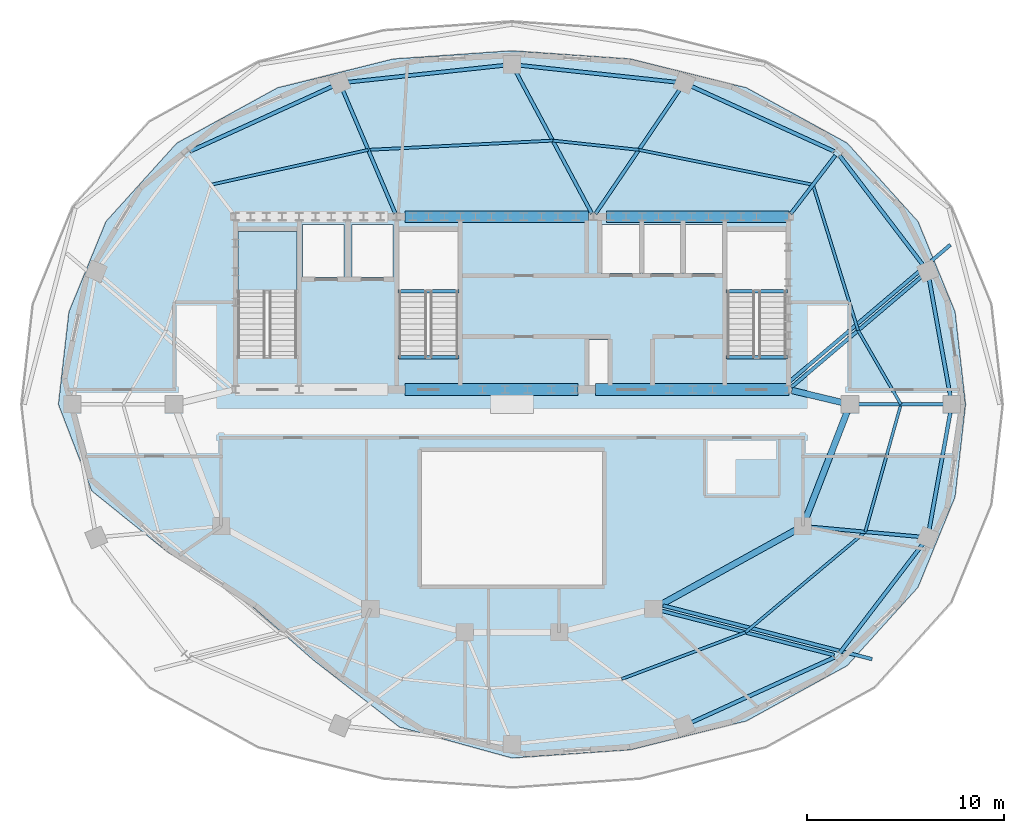
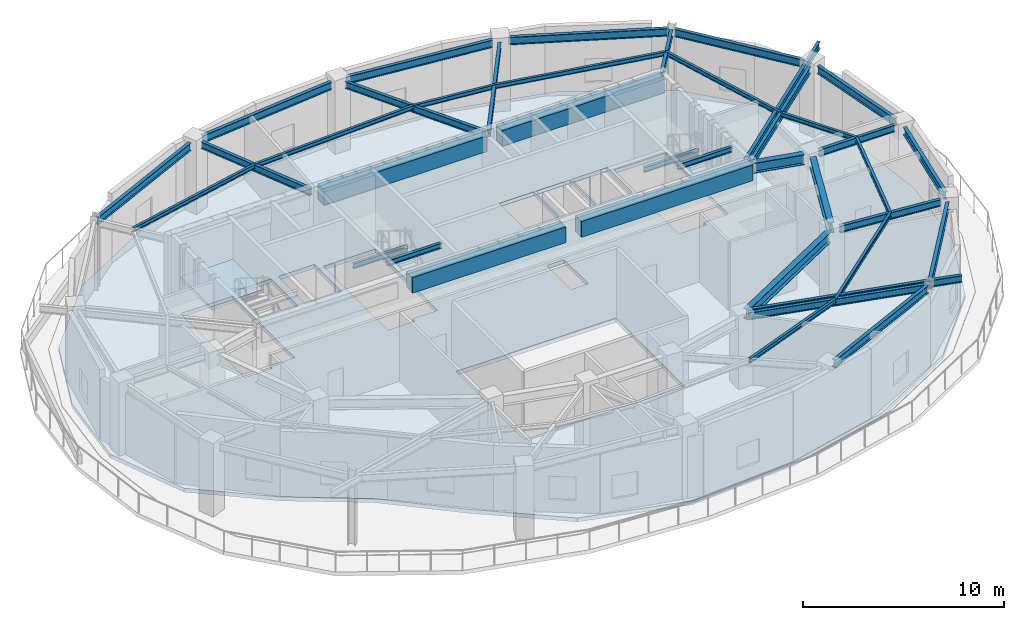
# One storey, part 2 of 10: 39 beams, 2 slabs, 1 element without a shape of its own.
"""IFC4 building model written with IfcOpenShell, lengths in metres."""

from ifc_helpers import new_model, si_unit, direction, frame, origin, origin_2d, place, context, subcontext, project, spatial, polyline, rectangle, i_section, outline, extrude, material, layer, layer_set, material_profile, profile_set, type_object, element, aggregate, save


model = new_model("IFC4")

# Units and contexts
model_context = context("Model", 3, precision=1e-05, world=origin(), true_north=direction((0.0, 1.0)))
body_context = subcontext(model_context, "Body", "Model", "MODEL_VIEW")
ifc_project = project(units=[si_unit("LENGTHUNIT", "METRE"), si_unit("AREAUNIT", "SQUARE_METRE"), si_unit("VOLUMEUNIT", "CUBIC_METRE"), si_unit("PLANEANGLEUNIT", "RADIAN"), si_unit("MASSUNIT", "GRAM", prefix="KILO")], contexts=[model_context])

# Site, building, storey
site_placement = place(None, origin())
site = spatial("IfcSite", under=ifc_project, at=site_placement, CompositionType="ELEMENT")
building_placement = place(site_placement, origin())
building = spatial("IfcBuilding", under=site, at=building_placement, Name="Haldorwick Loom Tower", CompositionType="ELEMENT")
storey_placement = place(building_placement, frame((0.0, 0.0, 273.0)))
storey = spatial("IfcBuildingStorey", under=building, at=storey_placement, Name="L74", CompositionType="ELEMENT", Elevation=273.0)

# Beams
ifc_material_1 = material(Name="Steel CSA G40.21 350W", Category="steel")
ifc_material_profile_1 = material_profile(ifc_material_1, i_section(OverallWidth=0.179931640625, OverallDepth=0.4130859375, WebThickness=0.009765625, FlangeThickness=0.01611328125, at=origin_2d()), Name="W410X74", Category="steel")
ifc_profile_set_1 = profile_set([ifc_material_profile_1], Name="Steel CSA G40.21 350W")
beam_type_1 = type_object("IfcBeamType", Name="STR-BM-BAL410", PredefinedType="BEAM", material=ifc_profile_set_1)
beam_1_placement = place(storey_placement, frame((43.681396484375, 15.765625, 4.053466796875), z_axis=(0.968611485287, -0.24857954576, 0.0), x_axis=(0.24857954576, 0.968611485287, 0.0)))
element("IfcBeam", 1, at=beam_1_placement, inside=storey, type_object=beam_type_1, Name="L74 Continuous Back-Spanned Balcony Beam 1", PredefinedType="BEAM", context=body_context, shape_type="SweptSolid", body=[
    extrude(i_section(OverallWidth=0.179931640625, OverallDepth=0.4130859375, WebThickness=0.009765625, FlangeThickness=0.01611328125, at=origin_2d()), origin(), (0.0, 0.0, 1.0), 10.98828125),
])
beam_2_placement = place(storey_placement, frame((50.019287109375, 27.074462890625, 4.053466796875), z_axis=(0.761960357793, 0.6476236663, 0.0), x_axis=(-0.6476236663, 0.761960357793, 0.0)))
element("IfcBeam", 2, at=beam_2_placement, inside=storey, type_object=beam_type_1, Name="L74 Continuous Back-Spanned Balcony Beam 4", PredefinedType="BEAM", context=body_context, shape_type="SweptSolid", body=[
    extrude(i_section(OverallWidth=0.179931640625, OverallDepth=0.4130859375, WebThickness=0.009765625, FlangeThickness=0.01611328125, at=origin_2d()), origin(), (0.0, 0.0, 1.0), 10.879150390625),
])
ifc_material_2 = material(Name="Concrete C50 (50 MPa)", Category="concrete")
ifc_material_profile_2 = material_profile(ifc_material_2, rectangle(XDim=0.60009765625, YDim=0.949951171875, at=origin_2d()), Name="RC600X950", Category="concrete")
ifc_profile_set_2 = profile_set([ifc_material_profile_2], Name="Concrete C50 (50 MPa)")
beam_type_2 = type_object("IfcBeamType", Name="STR-BM-CB950", PredefinedType="LINTEL", material=ifc_profile_set_2)
beam_3_placement = place(storey_placement, frame((30.550048828125, 35.550048828125, 3.784912109375), z_axis=(1.0, 0.0, 0.0), x_axis=(0.0, 1.0, 0.0)))
element("IfcBeam", 3, at=beam_3_placement, inside=storey, type_object=beam_type_2, Name="L74 Core Coupling Beam CB-N2", PredefinedType="LINTEL", context=body_context, shape_type="SweptSolid", body=[
    extrude(rectangle(XDim=0.60009765625, YDim=0.949951171875, at=origin_2d()), origin(), (0.0, 0.0, 1.0), 9.349853515625),
])
beam_4_placement = place(storey_placement, frame((40.800048828125, 35.550048828125, 3.784912109375), z_axis=(1.0, 0.0, 0.0), x_axis=(0.0, 1.0, 0.0)))
element("IfcBeam", 4, at=beam_4_placement, inside=storey, type_object=beam_type_2, Name="L74 Core Coupling Beam CB-N3", PredefinedType="LINTEL", context=body_context, shape_type="SweptSolid", body=[
    extrude(rectangle(XDim=0.60009765625, YDim=0.949951171875, at=origin_2d()), origin(), (0.0, 0.0, 1.0), 9.300048828125),
])
beam_5_placement = place(storey_placement, frame((30.550048828125, 26.75, 3.784912109375), z_axis=(1.0, 0.0, 0.0), x_axis=(0.0, 1.0, 0.0)))
element("IfcBeam", 5, at=beam_5_placement, inside=storey, type_object=beam_type_2, Name="L74 Core Coupling Beam CB-S2", PredefinedType="LINTEL", context=body_context, shape_type="SweptSolid", body=[
    extrude(rectangle(XDim=0.60009765625, YDim=0.949951171875, at=origin_2d()), origin(), (0.0, 0.0, 1.0), 8.800048828125),
])
beam_6_placement = place(storey_placement, frame((40.25, 26.75, 3.784912109375), z_axis=(1.0, 0.0, 0.0), x_axis=(0.0, 1.0, 0.0)))
element("IfcBeam", 6, at=beam_6_placement, inside=storey, type_object=beam_type_2, Name="L74 Core Coupling Beam CB-S3", PredefinedType="LINTEL", context=body_context, shape_type="SweptSolid", body=[
    extrude(rectangle(XDim=0.60009765625, YDim=0.949951171875, at=origin_2d()), origin(), (0.0, 0.0, 1.0), 9.85009765625),
])
ifc_material_profile_3 = material_profile(ifc_material_1, i_section(OverallWidth=0.14599609375, OverallDepth=0.258056640625, WebThickness=0.006103515625, FlangeThickness=0.009033203125, at=origin_2d()), Name="W250X33", Category="steel")
ifc_profile_set_3 = profile_set([ifc_material_profile_3], Name="Steel CSA G40.21 350W")
beam_type_3 = type_object("IfcBeamType", Name="STR-BM-J250", PredefinedType="JOIST", material=ifc_profile_set_3)
beam_7_placement = place(storey_placement, frame((55.790283203125, 26.0, 4.131103515625), z_axis=(-0.50089233553, 0.865509600297, 0.0), x_axis=(-0.865509600297, -0.50089233553, 0.0)))
element("IfcBeam", 7, at=beam_7_placement, inside=storey, type_object=beam_type_3, Name="L74 Mid-Bay Secondary Joist 1", PredefinedType="JOIST", context=body_context, shape_type="SweptSolid", body=[
    extrude(i_section(OverallWidth=0.14599609375, OverallDepth=0.258056640625, WebThickness=0.006103515625, FlangeThickness=0.009033203125, at=origin_2d()), origin(), (0.0, 0.0, 1.0), 4.34619140625),
])
beam_8_placement = place(storey_placement, frame((53.61328125, 29.76171875, 4.131103515625), z_axis=(-0.296087580312, 0.955160795251, 0.0), x_axis=(-0.955160795251, -0.296087580312, 0.0)))
element("IfcBeam", 8, at=beam_8_placement, inside=storey, type_object=beam_type_3, Name="L74 Mid-Bay Secondary Joist 2", PredefinedType="JOIST", context=body_context, shape_type="SweptSolid", body=[
    extrude(i_section(OverallWidth=0.14599609375, OverallDepth=0.258056640625, WebThickness=0.006103515625, FlangeThickness=0.009033203125, at=origin_2d()), origin(), (0.0, 0.0, 1.0), 7.762451171875),
])
beam_9_placement = place(storey_placement, frame((51.31494140625, 37.176025390625, 4.131103515625), z_axis=(-0.980500562343, 0.196516277302, 0.0), x_axis=(-0.196516277302, -0.980500562343, 0.0)))
element("IfcBeam", 9, at=beam_9_placement, inside=storey, type_object=beam_type_3, Name="L74 Mid-Bay Secondary Joist 3", PredefinedType="JOIST", context=body_context, shape_type="SweptSolid", body=[
    extrude(i_section(OverallWidth=0.14599609375, OverallDepth=0.258056640625, WebThickness=0.006103515625, FlangeThickness=0.009033203125, at=origin_2d()), origin(), (0.0, 0.0, 1.0), 9.034423828125),
])
beam_10_placement = place(storey_placement, frame((42.456787109375, 38.951416015625, 4.131103515625), z_axis=(-0.994268003688, 0.106916494714, 0.0), x_axis=(-0.106916494714, -0.994268003688, 0.0)))
element("IfcBeam", 10, at=beam_10_placement, inside=storey, type_object=beam_type_3, Name="L74 Mid-Bay Secondary Joist 4", PredefinedType="JOIST", context=body_context, shape_type="SweptSolid", body=[
    extrude(i_section(OverallWidth=0.14599609375, OverallDepth=0.258056640625, WebThickness=0.006103515625, FlangeThickness=0.009033203125, at=origin_2d()), origin(), (0.0, 0.0, 1.0), 4.406982421875),
])
beam_11_placement = place(storey_placement, frame((38.074951171875, 39.422607421875, 4.131103515625), z_axis=(-0.998743777835, -0.050108544536, 0.0), x_axis=(0.050108544536, -0.998743777835, 0.0)))
element("IfcBeam", 11, at=beam_11_placement, inside=storey, type_object=beam_type_3, Name="L74 Mid-Bay Secondary Joist 5", PredefinedType="JOIST", context=body_context, shape_type="SweptSolid", body=[
    extrude(i_section(OverallWidth=0.14599609375, OverallDepth=0.258056640625, WebThickness=0.006103515625, FlangeThickness=0.009033203125, at=origin_2d()), origin(), (0.0, 0.0, 1.0), 9.4033203125),
])
beam_12_placement = place(storey_placement, frame((28.683349609375, 38.951416015625, 4.131103515625), z_axis=(-0.976238917254, -0.216696969148, 0.0), x_axis=(0.216696969148, -0.976238917254, 0.0)))
element("IfcBeam", 12, at=beam_12_placement, inside=storey, type_object=beam_type_3, Name="L74 Mid-Bay Secondary Joist 6", PredefinedType="JOIST", context=body_context, shape_type="SweptSolid", body=[
    extrude(i_section(OverallWidth=0.14599609375, OverallDepth=0.258056640625, WebThickness=0.006103515625, FlangeThickness=0.009033203125, at=origin_2d()), origin(), (0.0, 0.0, 1.0), 8.19287109375),
])
beam_13_placement = place(storey_placement, frame((41.581787109375, 12.023681640625, 4.131103515625), z_axis=(0.93567019597, 0.352875735031, 0.0), x_axis=(-0.352875735031, 0.93567019597, 0.0)))
element("IfcBeam", 13, at=beam_13_placement, inside=storey, type_object=beam_type_3, Name="L74 Mid-Bay Secondary Joist 14", PredefinedType="JOIST", context=body_context, shape_type="SweptSolid", body=[
    extrude(i_section(OverallWidth=0.14599609375, OverallDepth=0.258056640625, WebThickness=0.006103515625, FlangeThickness=0.009033203125, at=origin_2d()), origin(), (0.0, 0.0, 1.0), 6.731201171875),
])
beam_14_placement = place(storey_placement, frame((47.8798828125, 14.39892578125, 4.131103515625), z_axis=(0.766236362394, 0.642558819833, 0.0), x_axis=(-0.642558819833, 0.766236362394, 0.0)))
element("IfcBeam", 14, at=beam_14_placement, inside=storey, type_object=beam_type_3, Name="L74 Mid-Bay Secondary Joist 15", PredefinedType="JOIST", context=body_context, shape_type="SweptSolid", body=[
    extrude(i_section(OverallWidth=0.14599609375, OverallDepth=0.258056640625, WebThickness=0.006103515625, FlangeThickness=0.009033203125, at=origin_2d()), origin(), (0.0, 0.0, 1.0), 7.959228515625),
])
beam_15_placement = place(storey_placement, frame((53.978515625, 19.51318359375, 4.131103515625), z_axis=(0.269004652199, 0.963138877367, 0.0), x_axis=(-0.963138877367, 0.269004652199, 0.0)))
element("IfcBeam", 15, at=beam_15_placement, inside=storey, type_object=beam_type_3, Name="L74 Mid-Bay Secondary Joist 16", PredefinedType="JOIST", context=body_context, shape_type="SweptSolid", body=[
    extrude(i_section(OverallWidth=0.14599609375, OverallDepth=0.258056640625, WebThickness=0.006103515625, FlangeThickness=0.009033203125, at=origin_2d()), origin(), (0.0, 0.0, 1.0), 6.735107421875),
])
ifc_material_profile_4 = material_profile(ifc_material_1, i_section(OverallWidth=0.179931640625, OverallDepth=0.4130859375, WebThickness=0.009765625, FlangeThickness=0.01611328125, at=origin_2d()), Name="W410X74", Category="steel")
ifc_profile_set_4 = profile_set([ifc_material_profile_4], Name="Steel CSA G40.21 350W")
beam_type_4 = type_object("IfcBeamType", Name="STR-BM-J410", PredefinedType="JOIST", material=ifc_profile_set_4)
beam_16_placement = place(storey_placement, frame((53.625, 26.0, 4.053466796875), z_axis=(1.0, 0.0, 0.0), x_axis=(0.0, 1.0, 0.0)))
element("IfcBeam", 16, at=beam_16_placement, inside=storey, type_object=beam_type_4, Name="L74 Radial Floor Girder 1", PredefinedType="JOIST", context=body_context, shape_type="SweptSolid", body=[
    extrude(i_section(OverallWidth=0.179931640625, OverallDepth=0.4130859375, WebThickness=0.009765625, FlangeThickness=0.01611328125, at=origin_2d()), origin(), (0.0, 0.0, 1.0), 4.330810546875),
])
beam_17_placement = place(storey_placement, frame((50.20068359375, 26.861083984375, 4.053466796875), z_axis=(0.761954542494, 0.647630508216, 0.0), x_axis=(-0.647630508216, 0.761954542494, 0.0)))
element("IfcBeam", 17, at=beam_17_placement, inside=storey, type_object=beam_type_4, Name="L74 Radial Floor Girder 2", PredefinedType="JOIST", context=body_context, shape_type="SweptSolid", body=[
    extrude(i_section(OverallWidth=0.179931640625, OverallDepth=0.4130859375, WebThickness=0.009765625, FlangeThickness=0.01611328125, at=origin_2d()), origin(), (0.0, 0.0, 1.0), 8.704345703125),
])
beam_18_placement = place(storey_placement, frame((50.17431640625, 35.686279296875, 4.053466796875), z_axis=(0.607923320425, 0.793995740847, 0.0), x_axis=(-0.793995740847, 0.607923320425, 0.0)))
element("IfcBeam", 18, at=beam_18_placement, inside=storey, type_object=beam_type_4, Name="L74 Radial Floor Girder 3", PredefinedType="JOIST", context=body_context, shape_type="SweptSolid", body=[
    extrude(i_section(OverallWidth=0.179931640625, OverallDepth=0.4130859375, WebThickness=0.009765625, FlangeThickness=0.01611328125, at=origin_2d()), origin(), (0.0, 0.0, 1.0), 3.75244140625),
])
beam_19_placement = place(storey_placement, frame((40.246337890625, 35.69189453125, 4.053466796875), z_axis=(0.561268006634, 0.827634112835, 0.0), x_axis=(-0.827634112835, 0.561268006634, 0.0)))
element("IfcBeam", 19, at=beam_19_placement, inside=storey, type_object=beam_type_4, Name="L74 Radial Floor Girder 4", PredefinedType="JOIST", context=body_context, shape_type="SweptSolid", body=[
    extrude(i_section(OverallWidth=0.179931640625, OverallDepth=0.4130859375, WebThickness=0.009765625, FlangeThickness=0.01611328125, at=origin_2d()), origin(), (0.0, 0.0, 1.0), 7.623046875),
])
beam_20_placement = place(storey_placement, frame((40.069091796875, 35.701171875, 4.053466796875), z_axis=(-0.472299991388, 0.881437869696, 0.0), x_axis=(-0.881437869696, -0.472299991388, 0.0)))
element("IfcBeam", 20, at=beam_20_placement, inside=storey, type_object=beam_type_4, Name="L74 Radial Floor Girder 5", PredefinedType="JOIST", context=body_context, shape_type="SweptSolid", body=[
    extrude(i_section(OverallWidth=0.179931640625, OverallDepth=0.4130859375, WebThickness=0.009765625, FlangeThickness=0.01611328125, at=origin_2d()), origin(), (0.0, 0.0, 1.0), 8.190673828125),
])
beam_21_placement = place(storey_placement, frame((30.06298828125, 35.707763671875, 4.053466796875), z_axis=(-0.391420554147, 0.92021190483, 0.0), x_axis=(-0.92021190483, -0.391420554147, 0.0)))
element("IfcBeam", 21, at=beam_21_placement, inside=storey, type_object=beam_type_4, Name="L74 Radial Floor Girder 6", PredefinedType="JOIST", context=body_context, shape_type="SweptSolid", body=[
    extrude(i_section(OverallWidth=0.179931640625, OverallDepth=0.4130859375, WebThickness=0.009765625, FlangeThickness=0.01611328125, at=origin_2d()), origin(), (0.0, 0.0, 1.0), 6.796142578125),
])
beam_22_placement = place(storey_placement, frame((43.61181640625, 15.494384765625, 4.053466796875), z_axis=(0.968607693966, -0.248594318498, 0.0), x_axis=(0.248594318498, 0.968607693966, 0.0)))
element("IfcBeam", 22, at=beam_22_placement, inside=storey, type_object=beam_type_4, Name="L74 Radial Floor Girder 15", PredefinedType="JOIST", context=body_context, shape_type="SweptSolid", body=[
    extrude(i_section(OverallWidth=0.179931640625, OverallDepth=0.4130859375, WebThickness=0.009765625, FlangeThickness=0.01611328125, at=origin_2d()), origin(), (0.0, 0.0, 1.0), 9.066650390625),
])
beam_23_placement = place(storey_placement, frame((51.223388671875, 19.76171875, 4.053466796875), z_axis=(0.995955545461, -0.08984737873, 0.0), x_axis=(0.08984737873, 0.995955545461, 0.0)))
element("IfcBeam", 23, at=beam_23_placement, inside=storey, type_object=beam_type_4, Name="L74 Radial Floor Girder 16", PredefinedType="JOIST", context=body_context, shape_type="SweptSolid", body=[
    extrude(i_section(OverallWidth=0.179931640625, OverallDepth=0.4130859375, WebThickness=0.009765625, FlangeThickness=0.01611328125, at=origin_2d()), origin(), (0.0, 0.0, 1.0), 5.532470703125),
])
ifc_material_profile_5 = material_profile(ifc_material_1, i_section(OverallWidth=0.193115234375, OverallDepth=0.466064453125, WebThickness=0.011474609375, FlangeThickness=0.01904296875, at=origin_2d()), Name="W460X97", Category="steel")
ifc_profile_set_5 = profile_set([ifc_material_profile_5], Name="Steel CSA G40.21 350W")
beam_type_5 = type_object("IfcBeamType", Name="STR-BM-SP460", PredefinedType="SPANDREL", material=ifc_profile_set_5)
beam_24_placement = place(storey_placement, frame((58.30517578125, 26.418212890625, 4.027099609375), z_axis=(-0.177809893073, 0.984064856565, 0.0), x_axis=(-0.984064856565, -0.177809893073, 0.0)))
element("IfcBeam", 24, at=beam_24_placement, inside=storey, type_object=beam_type_5, Name="L74 Perimeter Spandrel 1", PredefinedType="SPANDREL", context=body_context, shape_type="SweptSolid", body=[
    extrude(i_section(OverallWidth=0.193115234375, OverallDepth=0.466064453125, WebThickness=0.011474609375, FlangeThickness=0.01904296875, at=origin_2d()), origin(), (0.0, 0.0, 1.0), 6.033203125),
])
beam_25_placement = place(storey_placement, frame((56.899169921875, 33.111572265625, 4.027099609375), z_axis=(-0.606384376075, 0.795171672315, 0.0), x_axis=(-0.795171672315, -0.606384376075, 0.0)))
element("IfcBeam", 25, at=beam_25_placement, inside=storey, type_object=beam_type_5, Name="L74 Perimeter Spandrel 2", PredefinedType="SPANDREL", context=body_context, shape_type="SweptSolid", body=[
    extrude(i_section(OverallWidth=0.193115234375, OverallDepth=0.466064453125, WebThickness=0.011474609375, FlangeThickness=0.01904296875, at=origin_2d()), origin(), (0.0, 0.0, 1.0), 6.984619140625),
])
beam_26_placement = place(storey_placement, frame((52.40380859375, 38.873046875, 4.027099609375), z_axis=(-0.910060964072, 0.414474416185, 0.0), x_axis=(-0.414474416185, -0.910060964072, 0.0)))
element("IfcBeam", 26, at=beam_26_placement, inside=storey, type_object=beam_type_5, Name="L74 Perimeter Spandrel 3", PredefinedType="SPANDREL", context=body_context, shape_type="SweptSolid", body=[
    extrude(i_section(OverallWidth=0.193115234375, OverallDepth=0.466064453125, WebThickness=0.011474609375, FlangeThickness=0.01904296875, at=origin_2d()), origin(), (0.0, 0.0, 1.0), 7.97021484375),
])
for number, where, z_axis, x_axis, name in (
    (27, (44.3408203125, 42.398193359375, 4.027099609375), (-0.994266744602, 0.106928202916, 0.0), (-0.106928202916, -0.994266744602, 0.0), "L74 Perimeter Spandrel 4"),
    (28, (35.577392578125, 43.249755859375, 4.027099609375), (-0.994266744602, -0.106928202916, 0.0), (0.106928202916, -0.994266744602, 0.0), "L74 Perimeter Spandrel 5"),
):
    element("IfcBeam", number, at=place(storey_placement, frame(where, z_axis=z_axis, x_axis=x_axis)), inside=storey, type_object=beam_type_5, Name=name, PredefinedType="SPANDREL", context=body_context, shape_type="SweptSolid", body=[
        extrude(i_section(OverallWidth=0.193115234375, OverallDepth=0.466064453125, WebThickness=0.011474609375, FlangeThickness=0.01904296875, at=origin_2d()), origin(), (0.0, 0.0, 1.0), 7.9638671875),
    ])
for number, where, z_axis, x_axis, name in (
    (29, (26.849609375, 42.176513671875, 4.027099609375), (-0.910060964072, -0.414474416185, 0.0), (0.414474416185, -0.910060964072, 0.0), "L74 Perimeter Spandrel 6"),
    (30, (45.150390625, 9.823486328125, 4.027099609375), (0.910060964072, 0.414474416185, 0.0), (-0.414474416185, 0.910060964072, 0.0), "L74 Perimeter Spandrel 14"),
):
    element("IfcBeam", number, at=place(storey_placement, frame(where, z_axis=z_axis, x_axis=x_axis)), inside=storey, type_object=beam_type_5, Name=name, PredefinedType="SPANDREL", context=body_context, shape_type="SweptSolid", body=[
        extrude(i_section(OverallWidth=0.193115234375, OverallDepth=0.466064453125, WebThickness=0.011474609375, FlangeThickness=0.01904296875, at=origin_2d()), origin(), (0.0, 0.0, 1.0), 7.97021484375),
    ])
beam_27_placement = place(storey_placement, frame((52.663818359375, 13.33447265625, 4.027099609375), z_axis=(0.606384376075, 0.795171672315, 0.0), x_axis=(-0.795171672315, 0.606384376075, 0.0)))
element("IfcBeam", 31, at=beam_27_placement, inside=storey, type_object=beam_type_5, Name="L74 Perimeter Spandrel 15", PredefinedType="SPANDREL", context=body_context, shape_type="SweptSolid", body=[
    extrude(i_section(OverallWidth=0.193115234375, OverallDepth=0.466064453125, WebThickness=0.011474609375, FlangeThickness=0.01904296875, at=origin_2d()), origin(), (0.0, 0.0, 1.0), 6.984619140625),
])
beam_28_placement = place(storey_placement, frame((57.232421875, 19.644775390625, 4.027099609375), z_axis=(0.177809893073, 0.984064856565, 0.0), x_axis=(-0.984064856565, 0.177809893073, 0.0)))
element("IfcBeam", 32, at=beam_28_placement, inside=storey, type_object=beam_type_5, Name="L74 Perimeter Spandrel 16", PredefinedType="SPANDREL", context=body_context, shape_type="SweptSolid", body=[
    extrude(i_section(OverallWidth=0.193115234375, OverallDepth=0.466064453125, WebThickness=0.011474609375, FlangeThickness=0.01904296875, at=origin_2d()), origin(), (0.0, 0.0, 1.0), 6.033203125),
])
ifc_material_profile_6 = material_profile(ifc_material_1, i_section(OverallWidth=0.166015625, OverallDepth=0.31298828125, WebThickness=0.006591796875, FlangeThickness=0.01123046875, at=origin_2d()), Name="W310X45", Category="steel")
ifc_profile_set_6 = profile_set([ifc_material_profile_6], Name="Steel CSA G40.21 350W")
beam_type_6 = type_object("IfcBeamType", Name="STR-BM-STRM", PredefinedType="BEAM", material=ifc_profile_set_6)
for number, where, z_axis, x_axis, name in (
    (33, (46.889892578125, 28.39990234375, 4.103515625), (1.0, 0.0, 0.0), (0.0, 1.0, 0.0), "L74 Stair ST-02 Landing Edge Trimmer"),
    (34, (46.889892578125, 31.760009765625, 1.8935546875), (1.0, 0.0, 0.0), (0.0, 1.0, 0.0), "L74 Stair ST-02 Half-Landing Trimmer 1"),
    (35, (30.18994140625, 28.39990234375, 4.103515625), (1.0, 0.0, 0.0), (0.0, 1.0, 0.0), "L74 Stair ST-03 Landing Edge Trimmer"),
    (36, (30.18994140625, 31.760009765625, 1.8935546875), (1.0, 0.0, 0.0), (0.0, 1.0, 0.0), "L74 Stair ST-03 Half-Landing Trimmer 1"),
):
    element("IfcBeam", number, at=place(storey_placement, frame(where, z_axis=z_axis, x_axis=x_axis)), inside=storey, type_object=beam_type_6, Name=name, PredefinedType="BEAM", context=body_context, shape_type="SweptSolid", body=[
        extrude(i_section(OverallWidth=0.166015625, OverallDepth=0.31298828125, WebThickness=0.006591796875, FlangeThickness=0.01123046875, at=origin_2d()), origin(), (0.0, 0.0, 1.0), 3.1201171875),
    ])
ifc_material_profile_7 = material_profile(ifc_material_1, i_section(OverallWidth=0.324951171875, OverallDepth=0.615966796875, WebThickness=0.013916015625, FlangeThickness=0.021484375, at=origin_2d()), Name="W610X174", Category="steel")
ifc_profile_set_7 = profile_set([ifc_material_profile_7], Name="Steel CSA G40.21 350W")
beam_type_7 = type_object("IfcBeamType", Name="STR-BM-W610A", PredefinedType="BEAM", material=ifc_profile_set_7)
beam_29_placement = place(storey_placement, frame((50.23681640625, 26.7099609375, 3.951904296875), z_axis=(0.972483573168, -0.232971457302, 0.0), x_axis=(0.232971457302, 0.972483573168, 0.0)))
element("IfcBeam", 37, at=beam_29_placement, inside=storey, type_object=beam_type_7, Name="L74 Inner Ring Girder 1", PredefinedType="BEAM", context=body_context, shape_type="SweptSolid", body=[
    extrude(i_section(OverallWidth=0.324951171875, OverallDepth=0.615966796875, WebThickness=0.013916015625, FlangeThickness=0.021484375, at=origin_2d()), origin(), (0.0, 0.0, 1.0), 2.6220703125),
])
beam_30_placement = place(storey_placement, frame((53.046630859375, 25.603759765625, 3.951904296875), z_axis=(-0.361001189766, -0.932565354808, 0.0), x_axis=(0.932565354808, -0.361001189766, 0.0)))
element("IfcBeam", 38, at=beam_30_placement, inside=storey, type_object=beam_type_7, Name="L74 Inner Ring Girder 2", PredefinedType="BEAM", context=body_context, shape_type="SweptSolid", body=[
    extrude(i_section(OverallWidth=0.324951171875, OverallDepth=0.615966796875, WebThickness=0.013916015625, FlangeThickness=0.021484375, at=origin_2d()), origin(), (0.0, 0.0, 1.0), 5.798583984375),
])
beam_31_placement = place(storey_placement, frame((50.427978515625, 19.594482421875, 3.951904296875), z_axis=(-0.875241535439, -0.48368611169, 0.0), x_axis=(0.48368611169, -0.875241535439, 0.0)))
element("IfcBeam", 39, at=beam_31_placement, inside=storey, type_object=beam_type_7, Name="L74 Inner Ring Girder 3", PredefinedType="BEAM", context=body_context, shape_type="SweptSolid", body=[
    extrude(i_section(OverallWidth=0.324951171875, OverallDepth=0.615966796875, WebThickness=0.013916015625, FlangeThickness=0.021484375, at=origin_2d()), origin(), (0.0, 0.0, 1.0), 7.833251953125),
])

# Stair, slab
ifc_material_3 = material(Name="Concrete C40 (40 MPa)", Category="concrete")
stair_type = type_object("IfcStairType", Name="STR-STR-CORE", PredefinedType="HALF_TURN_STAIR", material=ifc_material_3)
stair_placement = place(storey_placement, origin())
stair = element("IfcStair", 40, at=stair_placement, inside=storey, type_object=stair_type, Name="L74 Exit Stair ST-01", PredefinedType="HALF_TURN_STAIR")
ifc_layer_1 = layer(ifc_material_3, 0.199951171875, Name="Concrete C40 (40 MPa)", Category="concrete")
ifc_layer_set_1 = layer_set([ifc_layer_1], Name="Concrete C40 (40 MPa)")
slab_type_1 = type_object("IfcSlabType", Name="STR-SLB-LAND200", PredefinedType="LANDING", material=ifc_layer_set_1)
slab_1_placement = place(storey_placement, frame((0.0, 0.0, 2.050048828125)))
slab_1 = element("IfcSlab", 41, at=slab_1_placement, type_object=slab_type_1, Name="ST-01 landing 1", PredefinedType="LANDING", context=body_context, shape_type="SweptSolid", body=[
    extrude(outline(polyline([(25.050048828125, 31.760009765625), (25.050048828125, 34.800048828125), (22.050048828125, 34.800048828125), (22.050048828125, 31.760009765625), (25.050048828125, 31.760009765625)])), origin(), (0.0, 0.0, 1.0), 0.199951171875),
])
aggregate(stair, [slab_1])

# Slab
ifc_layer_2 = layer(ifc_material_3, 0.239990234375, Name="Concrete C40 (40 MPa)", Category="concrete")
ifc_layer_set_2 = layer_set([ifc_layer_2], Name="Concrete C40 (40 MPa)")
slab_type_2 = type_object("IfcSlabType", Name="STR-SLB-RES240", PredefinedType="FLOOR", material=ifc_layer_set_2)
slab_2_placement = place(storey_placement, frame((0.0, 0.0, -0.239990234375)))
element("IfcSlab", 42, at=slab_2_placement, inside=storey, type_object=slab_type_2, Name="L74 Residential Structural Floor Slab", PredefinedType="FLOOR", context=body_context, shape_type="SweptSolid", body=[
    extrude(outline(polyline([(53.0546875, 12.702880859375), (56.6630859375, 16.69873046875), (58.545166015625, 21.2900390625), (59.080810546875, 26.0), (58.545166015625, 30.7099609375), (56.6630859375, 35.30126953125), (53.0546875, 39.297119140625), (47.9296875, 42.110107421875), (42.041015625, 43.577392578125), (36.0, 43.9951171875), (29.958984375, 43.577392578125), (24.0703125, 42.110107421875), (18.9453125, 39.297119140625), (15.3369140625, 35.30126953125), (13.454833984375, 30.7099609375), (12.919189453125, 26.0), (14.614013671875, 21.6005859375), (18.45458984375, 18.498779296875), (22.33935546875, 16.09716796875), (25.8701171875, 13.007568359375), (30.26953125, 9.58154296875), (36.0, 8.0048828125), (42.041015625, 8.422607421875), (47.9296875, 9.889892578125), (53.0546875, 12.702880859375)]), holes=[polyline([(31.39990234375, 16.800048828125), (31.39990234375, 23.60009765625), (40.60009765625, 23.60009765625), (40.60009765625, 16.800048828125), (31.39990234375, 16.800048828125)]), polyline([(40.89990234375, 26.89990234375), (39.89990234375, 26.89990234375), (39.89990234375, 29.300048828125), (40.89990234375, 29.300048828125), (40.89990234375, 26.89990234375)]), polyline([(23.6201171875, 28.39990234375), (22.050048828125, 28.39990234375), (22.050048828125, 34.800048828125), (25.050048828125, 34.800048828125), (25.050048828125, 28.639892578125), (23.6201171875, 28.639892578125), (23.6201171875, 28.39990234375)]), polyline([(30.25, 28.39990234375), (30.25, 34.800048828125), (33.25, 34.800048828125), (33.25, 28.639892578125), (31.820068359375, 28.639892578125), (31.820068359375, 28.39990234375), (30.25, 28.39990234375)]), polyline([(46.949951171875, 28.39990234375), (46.949951171875, 34.800048828125), (49.949951171875, 34.800048828125), (49.949951171875, 28.639892578125), (48.52001953125, 28.639892578125), (48.52001953125, 28.39990234375), (46.949951171875, 28.39990234375)]), polyline([(27.449951171875, 32.449951171875), (25.35009765625, 32.449951171875), (25.35009765625, 35.14990234375), (27.449951171875, 35.14990234375), (27.449951171875, 32.449951171875)]), polyline([(29.949951171875, 32.449951171875), (27.85009765625, 32.449951171875), (27.85009765625, 35.14990234375), (29.949951171875, 35.14990234375), (29.949951171875, 32.449951171875)]), polyline([(42.550048828125, 32.64990234375), (40.550048828125, 32.64990234375), (40.550048828125, 35.14990234375), (42.550048828125, 35.14990234375), (42.550048828125, 32.64990234375)]), polyline([(42.64990234375, 32.64990234375), (42.64990234375, 35.14990234375), (44.64990234375, 35.14990234375), (44.64990234375, 32.64990234375), (42.64990234375, 32.64990234375)]), polyline([(44.75, 32.64990234375), (44.75, 35.14990234375), (46.75, 35.14990234375), (46.75, 32.64990234375), (44.75, 32.64990234375)])]), origin(), (0.0, 0.0, 1.0), 0.239990234375),
])

save(model, "model.ifc")
